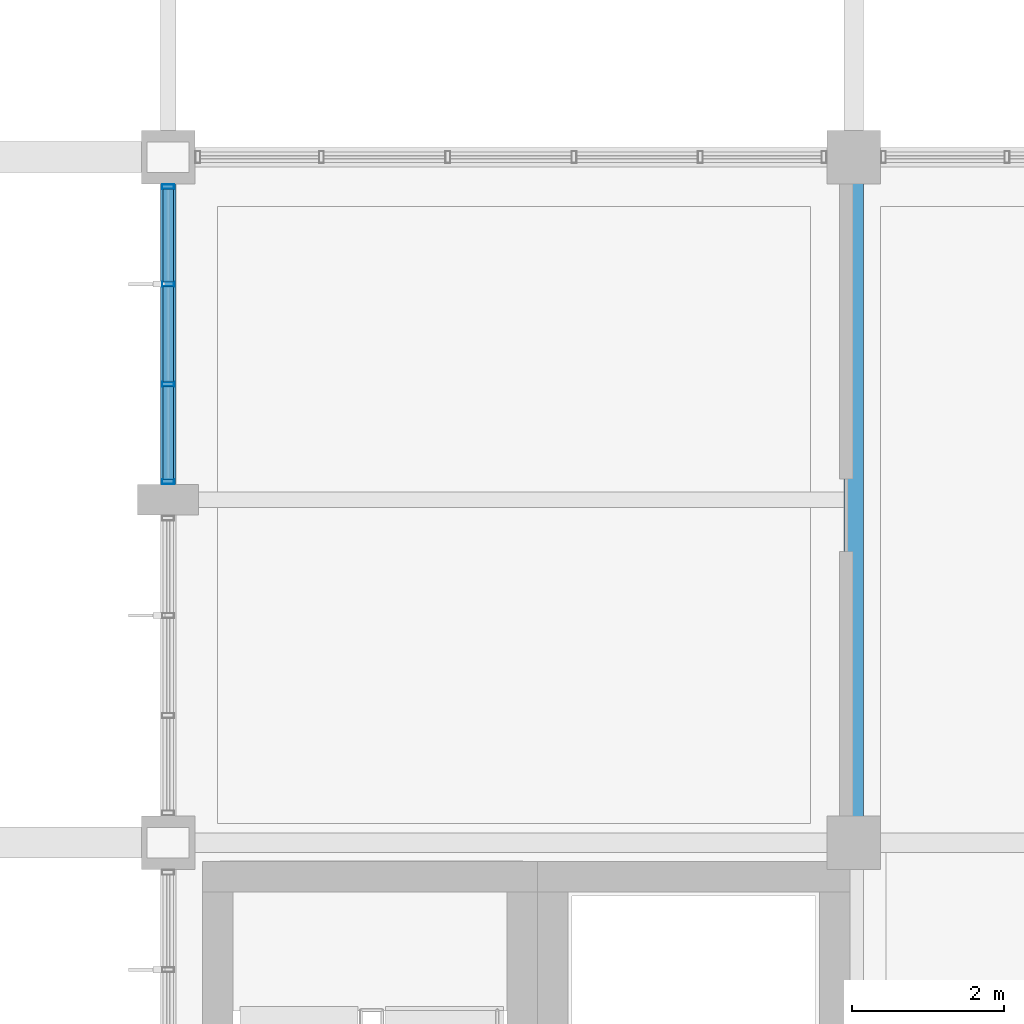
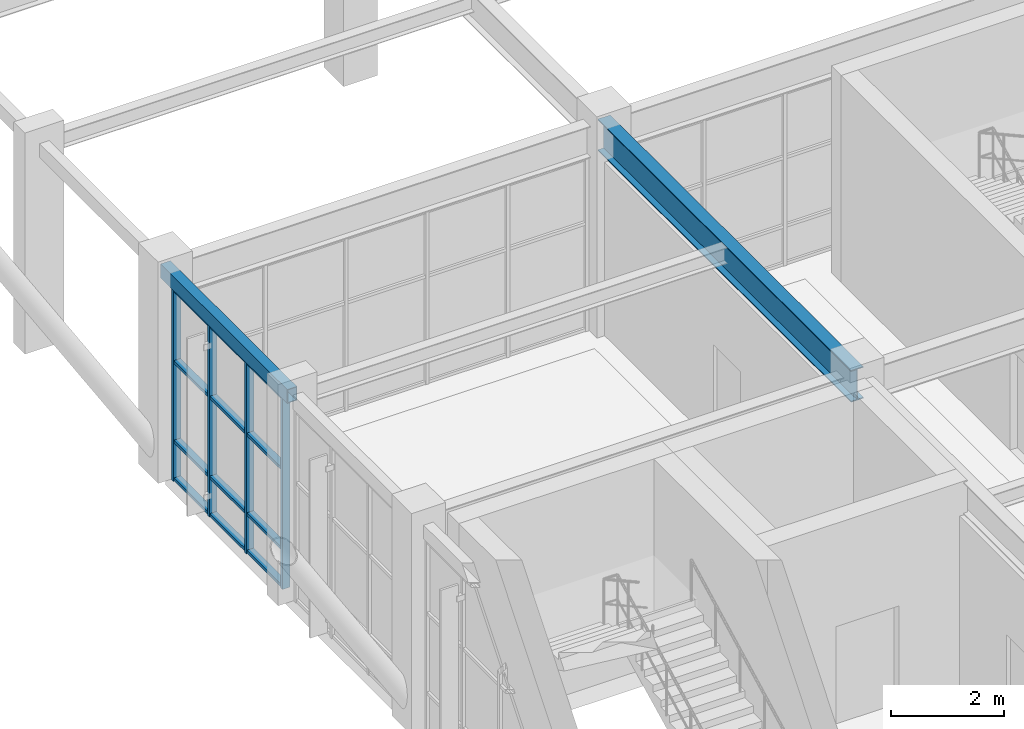
# One storey, part 26 of 104: 16 members, 2 beams, 1 element without a shape of its own.
"""IFC4 building model written with IfcOpenShell, lengths in metres."""

from ifc_helpers import new_model, si_unit, direction, frame, origin, origin_2d, place, context, subcontext, project, spatial, hollow_rectangle, i_section, extrude, material, layer, layer_set, material_profile, profile_set, type_object, element, aggregate, save


model = new_model("IFC4")

# Units and contexts
model_context = context("Model", 3, precision=1e-05, world=origin(), true_north=direction((0.0, 1.0)))
body_context = subcontext(model_context, "Body", "Model", "MODEL_VIEW")
ifc_project = project(units=[si_unit("LENGTHUNIT", "METRE"), si_unit("AREAUNIT", "SQUARE_METRE"), si_unit("VOLUMEUNIT", "CUBIC_METRE"), si_unit("PLANEANGLEUNIT", "RADIAN"), si_unit("MASSUNIT", "GRAM", prefix="KILO")], contexts=[model_context])

# Site, building, storey
site_placement = place(None, origin())
site = spatial("IfcSite", under=ifc_project, at=site_placement, CompositionType="ELEMENT")
building_placement = place(site_placement, origin())
building = spatial("IfcBuilding", under=site, at=building_placement, Name="Ventoquebrada Cableway Terminal", CompositionType="ELEMENT")
storey_placement = place(building_placement, frame((0.0, 0.0, 4.800048828125)))
storey = spatial("IfcBuildingStorey", under=building, at=storey_placement, Name="L01", CompositionType="ELEMENT", Elevation=4.800048828125)

# Beam
ifc_material_1 = material(Name="Steel ASTM A992 Grade 50", Category="steel")
ifc_material_profile_1 = material_profile(ifc_material_1, i_section(OverallWidth=0.25390625, OverallDepth=0.68798828125, WebThickness=0.01318359375, FlangeThickness=0.02099609375, at=origin_2d()), Name="W27X102")
ifc_profile_set_1 = profile_set([ifc_material_profile_1], Name="Steel ASTM A992 Grade 50")
beam_type_1 = type_object("IfcBeamType", Name="BM-ST04", PredefinedType="BEAM", material=ifc_profile_set_1)
beam_1_placement = place(storey_placement, frame((17.199951171875, 86.0, 4.120849609375), z_axis=(0.0, 1.0, 0.0), x_axis=(-1.0, 0.0, 0.0)))
element("IfcBeam", 1, at=beam_1_placement, inside=storey, type_object=beam_type_1, Name="Primary frame girder FBM-0418", PredefinedType="BEAM", context=body_context, shape_type="SweptSolid", body=[
    extrude(i_section(OverallWidth=0.25390625, OverallDepth=0.68798828125, WebThickness=0.01318359375, FlangeThickness=0.02099609375, at=origin_2d()), origin(), (0.0, 0.0, 1.0), 9.0),
])

# Curtain wall, members
ifc_material_2 = material(Name="Anodized thermally-broken aluminium", Category="aluminium")
ifc_layer = layer(ifc_material_2, 0.159912109375)
ifc_layer_set = layer_set([ifc_layer], Name="Anodized thermally-broken aluminium")
curtain_wall_type = type_object("IfcCurtainWallType", Name="CW-T17", PredefinedType="USERDEFINED", material=ifc_layer_set)
curtain_wall_placement = place(storey_placement, origin())
curtain_wall = element("IfcCurtainWall", 2, at=curtain_wall_placement, inside=storey, type_object=curtain_wall_type, Name="Unitised glazed curtain wall CW-038", ObjectType="UNITISED CURTAIN WALL", PredefinedType="USERDEFINED")
ifc_material_profile_2 = material_profile(ifc_material_2, hollow_rectangle(XDim=0.06494140625, YDim=0.159912109375, WallThickness=0.00390625, at=origin_2d()), Name="CW-MUL-65X160")
ifc_profile_set_2 = profile_set([ifc_material_profile_2], Name="Anodized thermally-broken aluminium")
member_type_1 = type_object("IfcMemberType", Name="CWM-01", PredefinedType="MULLION", material=ifc_profile_set_2)
member_1_placement = place(storey_placement, frame((8.199951171875, 94.610107421875, -0.008056640625), z_axis=(0.0, 0.0, 1.0), x_axis=(0.0, -1.0, 0.0)))
member_1 = element("IfcMember", 3, at=member_1_placement, type_object=member_type_1, Name="Curtain wall mullion FML-0170", PredefinedType="MULLION", context=body_context, shape_type="SweptSolid", body=[
    extrude(hollow_rectangle(XDim=0.06494140625, YDim=0.159912109375, WallThickness=0.00390625, at=origin_2d()), origin(), (0.0, 0.0, 1.0), 4.173095703125),
])
member_2_placement = place(storey_placement, frame((8.199951171875, 93.33203125, -0.008056640625), z_axis=(0.0, 0.0, 1.0), x_axis=(0.0, -1.0, 0.0)))
member_2 = element("IfcMember", 4, at=member_2_placement, type_object=member_type_1, Name="Curtain wall mullion FML-0171", PredefinedType="MULLION", context=body_context, shape_type="SweptSolid", body=[
    extrude(hollow_rectangle(XDim=0.06494140625, YDim=0.159912109375, WallThickness=0.00390625, at=origin_2d()), origin(), (0.0, 0.0, 1.0), 4.173095703125),
])
member_3_placement = place(storey_placement, frame((8.199951171875, 92.01806640625, -0.008056640625), z_axis=(0.0, 0.0, 1.0), x_axis=(0.0, -1.0, 0.0)))
member_3 = element("IfcMember", 5, at=member_3_placement, type_object=member_type_1, Name="Curtain wall mullion FML-0172", PredefinedType="MULLION", context=body_context, shape_type="SweptSolid", body=[
    extrude(hollow_rectangle(XDim=0.06494140625, YDim=0.159912109375, WallThickness=0.00390625, at=origin_2d()), origin(), (0.0, 0.0, 1.0), 4.173095703125),
])
member_4_placement = place(storey_placement, frame((8.199951171875, 90.739990234375, -0.008056640625), z_axis=(0.0, 0.0, 1.0), x_axis=(0.0, -1.0, 0.0)))
member_4 = element("IfcMember", 6, at=member_4_placement, type_object=member_type_1, Name="Curtain wall mullion FML-0173", PredefinedType="MULLION", context=body_context, shape_type="SweptSolid", body=[
    extrude(hollow_rectangle(XDim=0.06494140625, YDim=0.159912109375, WallThickness=0.00390625, at=origin_2d()), origin(), (0.0, 0.0, 1.0), 4.173095703125),
])
ifc_material_profile_3 = material_profile(ifc_material_2, hollow_rectangle(XDim=0.06494140625, YDim=0.139892578125, WallThickness=0.00390625, at=origin_2d()), Name="CW-TRN-65X140")
ifc_profile_set_3 = profile_set([ifc_material_profile_3], Name="Anodized thermally-broken aluminium")
member_type_2 = type_object("IfcMemberType", Name="CWT-01", PredefinedType="USERDEFINED", material=ifc_profile_set_3)
member_5_placement = place(storey_placement, frame((8.199951171875, 94.58203125, 0.034912109375), z_axis=(0.0, -1.0, 0.0), x_axis=(0.0, 0.0, 1.0)))
member_5 = element("IfcMember", 7, at=member_5_placement, type_object=member_type_2, Name="Curtain wall transom FTR-0507", ObjectType="TRANSOM", PredefinedType="USERDEFINED", context=body_context, shape_type="SweptSolid", body=[
    extrude(hollow_rectangle(XDim=0.06494140625, YDim=0.139892578125, WallThickness=0.00390625, at=origin_2d()), origin(), (0.0, 0.0, 1.0), 1.22314453125),
])
member_6_placement = place(storey_placement, frame((8.199951171875, 94.58203125, 0.849853515625), z_axis=(0.0, -1.0, 0.0), x_axis=(0.0, 0.0, 1.0)))
member_6 = element("IfcMember", 8, at=member_6_placement, type_object=member_type_2, Name="Curtain wall transom FTR-0508", ObjectType="TRANSOM", PredefinedType="USERDEFINED", context=body_context, shape_type="SweptSolid", body=[
    extrude(hollow_rectangle(XDim=0.06494140625, YDim=0.139892578125, WallThickness=0.00390625, at=origin_2d()), origin(), (0.0, 0.0, 1.0), 1.22314453125),
])
member_7_placement = place(storey_placement, frame((8.199951171875, 94.58203125, 2.578857421875), z_axis=(0.0, -1.0, 0.0), x_axis=(0.0, 0.0, 1.0)))
member_7 = element("IfcMember", 9, at=member_7_placement, type_object=member_type_2, Name="Curtain wall transom FTR-0509", ObjectType="TRANSOM", PredefinedType="USERDEFINED", context=body_context, shape_type="SweptSolid", body=[
    extrude(hollow_rectangle(XDim=0.06494140625, YDim=0.139892578125, WallThickness=0.00390625, at=origin_2d()), origin(), (0.0, 0.0, 1.0), 1.22314453125),
])
member_8_placement = place(storey_placement, frame((8.199951171875, 94.58203125, 4.125), z_axis=(0.0, -1.0, 0.0), x_axis=(0.0, 0.0, 1.0)))
member_8 = element("IfcMember", 10, at=member_8_placement, type_object=member_type_2, Name="Curtain wall transom FTR-0510", ObjectType="TRANSOM", PredefinedType="USERDEFINED", context=body_context, shape_type="SweptSolid", body=[
    extrude(hollow_rectangle(XDim=0.06494140625, YDim=0.139892578125, WallThickness=0.00390625, at=origin_2d()), origin(), (0.0, 0.0, 1.0), 1.22314453125),
])
member_9_placement = place(storey_placement, frame((8.199951171875, 93.303955078125, 0.034912109375), z_axis=(0.0, -1.0, 0.0), x_axis=(0.0, 0.0, 1.0)))
member_9 = element("IfcMember", 11, at=member_9_placement, type_object=member_type_2, Name="Curtain wall transom FTR-0511", ObjectType="TRANSOM", PredefinedType="USERDEFINED", context=body_context, shape_type="SweptSolid", body=[
    extrude(hollow_rectangle(XDim=0.06494140625, YDim=0.139892578125, WallThickness=0.00390625, at=origin_2d()), origin(), (0.0, 0.0, 1.0), 1.258056640625),
])
member_10_placement = place(storey_placement, frame((8.199951171875, 93.303955078125, 0.849853515625), z_axis=(0.0, -1.0, 0.0), x_axis=(0.0, 0.0, 1.0)))
member_10 = element("IfcMember", 12, at=member_10_placement, type_object=member_type_2, Name="Curtain wall transom FTR-0512", ObjectType="TRANSOM", PredefinedType="USERDEFINED", context=body_context, shape_type="SweptSolid", body=[
    extrude(hollow_rectangle(XDim=0.06494140625, YDim=0.139892578125, WallThickness=0.00390625, at=origin_2d()), origin(), (0.0, 0.0, 1.0), 1.258056640625),
])
member_11_placement = place(storey_placement, frame((8.199951171875, 93.303955078125, 2.578857421875), z_axis=(0.0, -1.0, 0.0), x_axis=(0.0, 0.0, 1.0)))
member_11 = element("IfcMember", 13, at=member_11_placement, type_object=member_type_2, Name="Curtain wall transom FTR-0513", ObjectType="TRANSOM", PredefinedType="USERDEFINED", context=body_context, shape_type="SweptSolid", body=[
    extrude(hollow_rectangle(XDim=0.06494140625, YDim=0.139892578125, WallThickness=0.00390625, at=origin_2d()), origin(), (0.0, 0.0, 1.0), 1.258056640625),
])
member_12_placement = place(storey_placement, frame((8.199951171875, 93.303955078125, 4.125), z_axis=(0.0, -1.0, 0.0), x_axis=(0.0, 0.0, 1.0)))
member_12 = element("IfcMember", 14, at=member_12_placement, type_object=member_type_2, Name="Curtain wall transom FTR-0514", ObjectType="TRANSOM", PredefinedType="USERDEFINED", context=body_context, shape_type="SweptSolid", body=[
    extrude(hollow_rectangle(XDim=0.06494140625, YDim=0.139892578125, WallThickness=0.00390625, at=origin_2d()), origin(), (0.0, 0.0, 1.0), 1.258056640625),
])
member_13_placement = place(storey_placement, frame((8.199951171875, 91.990966796875, 0.034912109375), z_axis=(0.0, -1.0, 0.0), x_axis=(0.0, 0.0, 1.0)))
member_13 = element("IfcMember", 15, at=member_13_placement, type_object=member_type_2, Name="Curtain wall transom FTR-0515", ObjectType="TRANSOM", PredefinedType="USERDEFINED", context=body_context, shape_type="SweptSolid", body=[
    extrude(hollow_rectangle(XDim=0.06494140625, YDim=0.139892578125, WallThickness=0.00390625, at=origin_2d()), origin(), (0.0, 0.0, 1.0), 1.223876953125),
])
member_14_placement = place(storey_placement, frame((8.199951171875, 91.990966796875, 0.849853515625), z_axis=(0.0, -1.0, 0.0), x_axis=(0.0, 0.0, 1.0)))
member_14 = element("IfcMember", 16, at=member_14_placement, type_object=member_type_2, Name="Curtain wall transom FTR-0516", ObjectType="TRANSOM", PredefinedType="USERDEFINED", context=body_context, shape_type="SweptSolid", body=[
    extrude(hollow_rectangle(XDim=0.06494140625, YDim=0.139892578125, WallThickness=0.00390625, at=origin_2d()), origin(), (0.0, 0.0, 1.0), 1.223876953125),
])
member_15_placement = place(storey_placement, frame((8.199951171875, 91.990966796875, 2.578857421875), z_axis=(0.0, -1.0, 0.0), x_axis=(0.0, 0.0, 1.0)))
member_15 = element("IfcMember", 17, at=member_15_placement, type_object=member_type_2, Name="Curtain wall transom FTR-0517", ObjectType="TRANSOM", PredefinedType="USERDEFINED", context=body_context, shape_type="SweptSolid", body=[
    extrude(hollow_rectangle(XDim=0.06494140625, YDim=0.139892578125, WallThickness=0.00390625, at=origin_2d()), origin(), (0.0, 0.0, 1.0), 1.223876953125),
])
member_16_placement = place(storey_placement, frame((8.199951171875, 91.990966796875, 4.125), z_axis=(0.0, -1.0, 0.0), x_axis=(0.0, 0.0, 1.0)))
member_16 = element("IfcMember", 18, at=member_16_placement, type_object=member_type_2, Name="Curtain wall transom FTR-0518", ObjectType="TRANSOM", PredefinedType="USERDEFINED", context=body_context, shape_type="SweptSolid", body=[
    extrude(hollow_rectangle(XDim=0.06494140625, YDim=0.139892578125, WallThickness=0.00390625, at=origin_2d()), origin(), (0.0, 0.0, 1.0), 1.223876953125),
])
aggregate(curtain_wall, [member_1, member_2, member_3, member_4, member_5, member_6, member_7, member_8, member_9, member_10, member_11, member_12, member_13, member_14, member_15, member_16])

# Beam
ifc_material_3 = material(Name="Steel ASTM A500 Grade C", Category="steel")
ifc_material_profile_4 = material_profile(ifc_material_3, hollow_rectangle(XDim=0.199951171875, YDim=0.300048828125, WallThickness=0.012451171875, at=origin_2d()), Name="RHS300X200X12.5")
ifc_profile_set_4 = profile_set([ifc_material_profile_4], Name="Steel ASTM A500 Grade C")
beam_type_2 = type_object("IfcBeamType", Name="SP-ST02", PredefinedType="SPANDREL", material=ifc_profile_set_4)
beam_2_placement = place(storey_placement, frame((8.199951171875, 90.5, 4.31494140625), z_axis=(0.0, 1.0, 0.0), x_axis=(-1.0, 0.0, 0.0)))
element("IfcBeam", 19, at=beam_2_placement, inside=storey, type_object=beam_type_2, Name="Perimeter spandrel beam FBM-0410", PredefinedType="SPANDREL", context=body_context, shape_type="SweptSolid", body=[
    extrude(hollow_rectangle(XDim=0.199951171875, YDim=0.300048828125, WallThickness=0.012451171875, at=origin_2d()), origin(), (0.0, 0.0, 1.0), 4.5),
])

save(model, "model.ifc")
